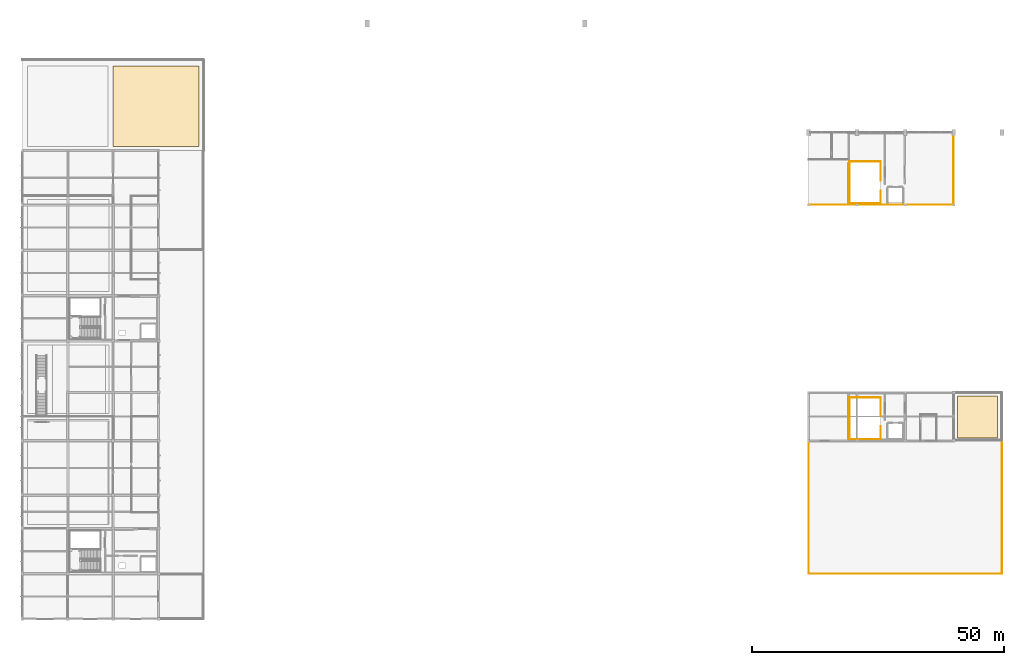
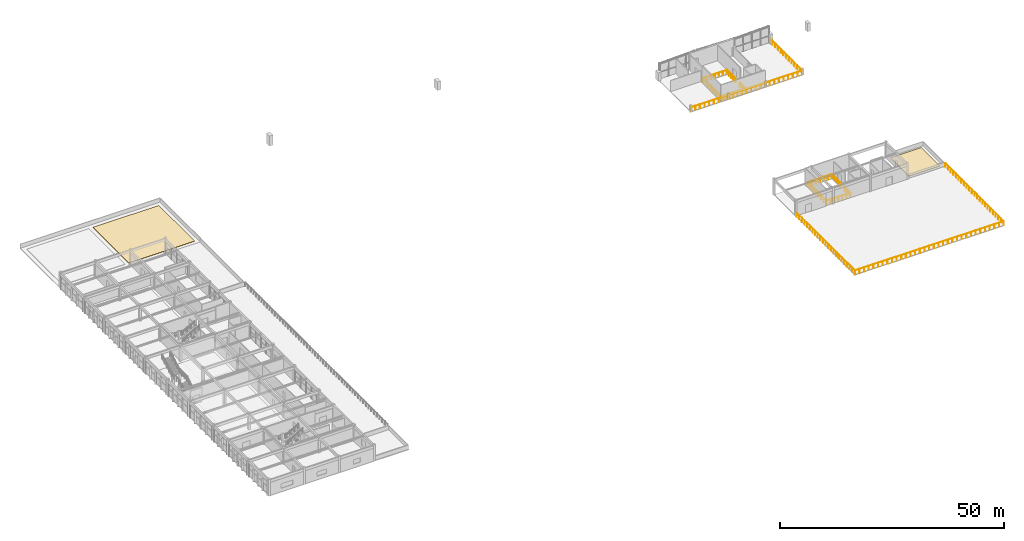
# One storey, part 22 of 22: 4 railings, 2 coverings.
"""IFC4 building model written with IfcOpenShell, lengths in metres."""

from ifc_helpers import new_model, si_unit, direction, frame, origin, origin_2d, place, context, subcontext, project, spatial, polyline, circle, outline, extrude, material, layer, layer_set, type_object, element, save


model = new_model("IFC4")

# Units and contexts
model_context = context("Model", 3, precision=1e-05, world=origin(), true_north=direction((0.0, 1.0)))
body_context = subcontext(model_context, "Body", "Model", "MODEL_VIEW")
ifc_project = project(units=[si_unit("LENGTHUNIT", "METRE"), si_unit("AREAUNIT", "SQUARE_METRE"), si_unit("VOLUMEUNIT", "CUBIC_METRE"), si_unit("PLANEANGLEUNIT", "RADIAN"), si_unit("MASSUNIT", "GRAM", prefix="KILO")], contexts=[model_context])

# Site, building, storey
site_placement = place(None, origin())
site = spatial("IfcSite", under=ifc_project, at=site_placement, CompositionType="ELEMENT")
building_placement = place(site_placement, origin())
building = spatial("IfcBuilding", under=site, at=building_placement, Name="Suirenkawa Promenade Aquatics Centre", CompositionType="ELEMENT")
storey_placement = place(building_placement, frame((0.0, 0.0, 14.10009765625)))
storey = spatial("IfcBuildingStorey", under=building, at=storey_placement, Name="L03", CompositionType="ELEMENT", Elevation=14.10009765625)

# Coverings
ifc_material_1 = material(Name="Encapsulated mineral-wool cool-roof build-up")
ifc_layer = layer(ifc_material_1, 0.080078125, Name="Encapsulated mineral-wool cool-roof build-up")
ifc_layer_set = layer_set([ifc_layer], Name="Encapsulated mineral-wool cool-roof build-up")
covering_type = type_object("IfcCoveringType", Name="CVT-ROOF-COOL", PredefinedType="ROOFING", material=ifc_layer_set)
covering_1_placement = place(storey_placement, origin())
element("IfcCovering", 1, at=covering_1_placement, inside=storey, type_object=covering_type, Name="Cool roof membrane RF-02 CVR-009", PredefinedType="ROOFING", context=body_context, shape_type="SweptSolid", body=[
    extrude(outline(polyline([(18.0, 98.0), (35.0, 98.0), (35.0, 114.0), (18.0, 114.0), (18.0, 98.0)])), origin(), (0.0, 0.0, 1.0), 0.079833984375),
])
covering_2_placement = place(storey_placement, origin())
element("IfcCovering", 2, at=covering_2_placement, inside=storey, type_object=covering_type, Name="Cool roof membrane RF-02 CVR-010", PredefinedType="ROOFING", context=body_context, shape_type="SweptSolid", body=[
    extrude(outline(polyline([(185.5, 40.199951171875), (193.5, 40.199951171875), (193.5, 48.5), (185.5, 48.5), (185.5, 40.199951171875)])), origin(), (0.0, 0.0, 1.0), 0.079833984375),
])

# Railings
ifc_material_2 = material(Name="Marine-grade stainless steel Grade 316L", Category="steel")
railing_type_1 = type_object("IfcRailingType", Name="RLT-BALUSTRADE-1120", PredefinedType="BALUSTRADE", material=ifc_material_2)
railing_1_placement = place(storey_placement, frame((156.0400390625, 39.179931640625, 0.0)))
element("IfcRailing", 3, at=railing_1_placement, inside=storey, type_object=railing_type_1, Name="Balustrade BAL-01 RL-0385", PredefinedType="BALUSTRADE", context=body_context, shape_type="SweptSolid", body=[
    extrude(circle(Radius=0.02392578125, at=origin_2d()), frame((0.0, 0.0, 1.09619140625), z_axis=(0.0, -1.0, 0.0), x_axis=(1.0, 0.0, 0.0)), (0.0, 0.0, 1.0), 25.93994140625),
    extrude(circle(Radius=0.02392578125, at=origin_2d()), frame((0.0, -25.93994140625, 1.09619140625), z_axis=(1.0, 0.0, 0.0), x_axis=(0.0, 1.0, 0.0)), (0.0, 0.0, 1.0), 38.320068359375),
    extrude(circle(Radius=0.02392578125, at=origin_2d()), frame((38.320068359375, -25.93994140625, 1.09619140625), z_axis=(0.0, 1.0, 0.0), x_axis=(-1.0, 0.0, 0.0)), (0.0, 0.0, 1.0), 25.93994140625),
    extrude(circle(Radius=0.02099609375, at=origin_2d()), origin(), (0.0, 0.0, 1.0), 1.072021484375),
    extrude(circle(Radius=0.02099609375, at=origin_2d()), frame((0.0, -1.17919921875, 0.0)), (0.0, 0.0, 1.0), 1.072021484375),
    extrude(circle(Radius=0.02099609375, at=origin_2d()), frame((0.0, -2.358154296875, 0.0)), (0.0, 0.0, 1.0), 1.072021484375),
    extrude(circle(Radius=0.02099609375, at=origin_2d()), frame((0.0, -3.537353515625, 0.0)), (0.0, 0.0, 1.0), 1.072021484375),
    extrude(circle(Radius=0.02099609375, at=origin_2d()), frame((0.0, -4.71630859375, 0.0)), (0.0, 0.0, 1.0), 1.072021484375),
    extrude(circle(Radius=0.02099609375, at=origin_2d()), frame((0.0, -5.8955078125, 0.0)), (0.0, 0.0, 1.0), 1.072021484375),
    extrude(circle(Radius=0.02099609375, at=origin_2d()), frame((0.0, -7.074462890625, 0.0)), (0.0, 0.0, 1.0), 1.072021484375),
    extrude(circle(Radius=0.02099609375, at=origin_2d()), frame((0.0, -8.253662109375, 0.0)), (0.0, 0.0, 1.0), 1.072021484375),
    extrude(circle(Radius=0.02099609375, at=origin_2d()), frame((0.0, -9.4326171875, 0.0)), (0.0, 0.0, 1.0), 1.072021484375),
    extrude(circle(Radius=0.02099609375, at=origin_2d()), frame((0.0, -10.61181640625, 0.0)), (0.0, 0.0, 1.0), 1.072021484375),
    extrude(circle(Radius=0.02099609375, at=origin_2d()), frame((0.0, -11.790771484375, 0.0)), (0.0, 0.0, 1.0), 1.072021484375),
    extrude(circle(Radius=0.02099609375, at=origin_2d()), frame((0.0, -12.969970703125, 0.0)), (0.0, 0.0, 1.0), 1.072021484375),
    extrude(circle(Radius=0.02099609375, at=origin_2d()), frame((0.0, -14.149169921875, 0.0)), (0.0, 0.0, 1.0), 1.072021484375),
    extrude(circle(Radius=0.02099609375, at=origin_2d()), frame((0.0, -15.328125, 0.0)), (0.0, 0.0, 1.0), 1.072021484375),
    extrude(circle(Radius=0.02099609375, at=origin_2d()), frame((0.0, -16.50732421875, 0.0)), (0.0, 0.0, 1.0), 1.072021484375),
    extrude(circle(Radius=0.02099609375, at=origin_2d()), frame((0.0, -17.686279296875, 0.0)), (0.0, 0.0, 1.0), 1.072021484375),
    extrude(circle(Radius=0.02099609375, at=origin_2d()), frame((0.0, -18.865478515625, 0.0)), (0.0, 0.0, 1.0), 1.072021484375),
    extrude(circle(Radius=0.02099609375, at=origin_2d()), frame((0.0, -20.04443359375, 0.0)), (0.0, 0.0, 1.0), 1.072021484375),
    extrude(circle(Radius=0.02099609375, at=origin_2d()), frame((0.0, -21.2236328125, 0.0)), (0.0, 0.0, 1.0), 1.072021484375),
    extrude(circle(Radius=0.02099609375, at=origin_2d()), frame((0.0, -22.402587890625, 0.0)), (0.0, 0.0, 1.0), 1.072021484375),
    extrude(circle(Radius=0.02099609375, at=origin_2d()), frame((0.0, -23.581787109375, 0.0)), (0.0, 0.0, 1.0), 1.072021484375),
    extrude(circle(Radius=0.02099609375, at=origin_2d()), frame((0.0, -24.7607421875, 0.0)), (0.0, 0.0, 1.0), 1.072021484375),
    extrude(circle(Radius=0.02099609375, at=origin_2d()), frame((0.0, -25.93994140625, 0.0)), (0.0, 0.0, 1.0), 1.072021484375),
    extrude(circle(Radius=0.02099609375, at=origin_2d()), frame((1.197509765625, -25.93994140625, 0.0)), (0.0, 0.0, 1.0), 1.072021484375),
    extrude(circle(Radius=0.02099609375, at=origin_2d()), frame((2.39501953125, -25.93994140625, 0.0)), (0.0, 0.0, 1.0), 1.072021484375),
    extrude(circle(Radius=0.02099609375, at=origin_2d()), frame((3.592529296875, -25.93994140625, 0.0)), (0.0, 0.0, 1.0), 1.072021484375),
    extrude(circle(Radius=0.02099609375, at=origin_2d()), frame((4.7900390625, -25.93994140625, 0.0)), (0.0, 0.0, 1.0), 1.072021484375),
    extrude(circle(Radius=0.02099609375, at=origin_2d()), frame((5.987548828125, -25.93994140625, 0.0)), (0.0, 0.0, 1.0), 1.072021484375),
    extrude(circle(Radius=0.02099609375, at=origin_2d()), frame((7.18505859375, -25.93994140625, 0.0)), (0.0, 0.0, 1.0), 1.072021484375),
    extrude(circle(Radius=0.02099609375, at=origin_2d()), frame((8.382568359375, -25.93994140625, 0.0)), (0.0, 0.0, 1.0), 1.072021484375),
    extrude(circle(Radius=0.02099609375, at=origin_2d()), frame((9.580078125, -25.93994140625, 0.0)), (0.0, 0.0, 1.0), 1.072021484375),
    extrude(circle(Radius=0.02099609375, at=origin_2d()), frame((10.777587890625, -25.93994140625, 0.0)), (0.0, 0.0, 1.0), 1.072021484375),
    extrude(circle(Radius=0.02099609375, at=origin_2d()), frame((11.97509765625, -25.93994140625, 0.0)), (0.0, 0.0, 1.0), 1.072021484375),
    extrude(circle(Radius=0.02099609375, at=origin_2d()), frame((13.172607421875, -25.93994140625, 0.0)), (0.0, 0.0, 1.0), 1.072021484375),
    extrude(circle(Radius=0.02099609375, at=origin_2d()), frame((14.3701171875, -25.93994140625, 0.0)), (0.0, 0.0, 1.0), 1.072021484375),
    extrude(circle(Radius=0.02099609375, at=origin_2d()), frame((15.567626953125, -25.93994140625, 0.0)), (0.0, 0.0, 1.0), 1.072021484375),
    extrude(circle(Radius=0.02099609375, at=origin_2d()), frame((16.76513671875, -25.93994140625, 0.0)), (0.0, 0.0, 1.0), 1.072021484375),
    extrude(circle(Radius=0.02099609375, at=origin_2d()), frame((17.962646484375, -25.93994140625, 0.0)), (0.0, 0.0, 1.0), 1.072021484375),
    extrude(circle(Radius=0.02099609375, at=origin_2d()), frame((19.16015625, -25.93994140625, 0.0)), (0.0, 0.0, 1.0), 1.072021484375),
    extrude(circle(Radius=0.02099609375, at=origin_2d()), frame((20.357421875, -25.93994140625, 0.0)), (0.0, 0.0, 1.0), 1.072021484375),
    extrude(circle(Radius=0.02099609375, at=origin_2d()), frame((21.554931640625, -25.93994140625, 0.0)), (0.0, 0.0, 1.0), 1.072021484375),
    extrude(circle(Radius=0.02099609375, at=origin_2d()), frame((22.75244140625, -25.93994140625, 0.0)), (0.0, 0.0, 1.0), 1.072021484375),
    extrude(circle(Radius=0.02099609375, at=origin_2d()), frame((23.949951171875, -25.93994140625, 0.0)), (0.0, 0.0, 1.0), 1.072021484375),
    extrude(circle(Radius=0.02099609375, at=origin_2d()), frame((25.1474609375, -25.93994140625, 0.0)), (0.0, 0.0, 1.0), 1.072021484375),
    extrude(circle(Radius=0.02099609375, at=origin_2d()), frame((26.344970703125, -25.93994140625, 0.0)), (0.0, 0.0, 1.0), 1.072021484375),
    extrude(circle(Radius=0.02099609375, at=origin_2d()), frame((27.54248046875, -25.93994140625, 0.0)), (0.0, 0.0, 1.0), 1.072021484375),
    extrude(circle(Radius=0.02099609375, at=origin_2d()), frame((28.739990234375, -25.93994140625, 0.0)), (0.0, 0.0, 1.0), 1.072021484375),
    extrude(circle(Radius=0.02099609375, at=origin_2d()), frame((29.9375, -25.93994140625, 0.0)), (0.0, 0.0, 1.0), 1.072021484375),
    extrude(circle(Radius=0.02099609375, at=origin_2d()), frame((31.135009765625, -25.93994140625, 0.0)), (0.0, 0.0, 1.0), 1.072021484375),
    extrude(circle(Radius=0.02099609375, at=origin_2d()), frame((32.33251953125, -25.93994140625, 0.0)), (0.0, 0.0, 1.0), 1.072021484375),
    extrude(circle(Radius=0.02099609375, at=origin_2d()), frame((33.530029296875, -25.93994140625, 0.0)), (0.0, 0.0, 1.0), 1.072021484375),
    extrude(circle(Radius=0.02099609375, at=origin_2d()), frame((34.7275390625, -25.93994140625, 0.0)), (0.0, 0.0, 1.0), 1.072021484375),
    extrude(circle(Radius=0.02099609375, at=origin_2d()), frame((35.925048828125, -25.93994140625, 0.0)), (0.0, 0.0, 1.0), 1.072021484375),
    extrude(circle(Radius=0.02099609375, at=origin_2d()), frame((37.12255859375, -25.93994140625, 0.0)), (0.0, 0.0, 1.0), 1.072021484375),
    extrude(circle(Radius=0.02099609375, at=origin_2d()), frame((38.320068359375, -25.93994140625, 0.0)), (0.0, 0.0, 1.0), 1.072021484375),
    extrude(circle(Radius=0.02099609375, at=origin_2d()), frame((38.320068359375, -24.7607421875, 0.0)), (0.0, 0.0, 1.0), 1.072021484375),
    extrude(circle(Radius=0.02099609375, at=origin_2d()), frame((38.320068359375, -23.581787109375, 0.0)), (0.0, 0.0, 1.0), 1.072021484375),
    extrude(circle(Radius=0.02099609375, at=origin_2d()), frame((38.320068359375, -22.402587890625, 0.0)), (0.0, 0.0, 1.0), 1.072021484375),
    extrude(circle(Radius=0.02099609375, at=origin_2d()), frame((38.320068359375, -21.2236328125, 0.0)), (0.0, 0.0, 1.0), 1.072021484375),
    extrude(circle(Radius=0.02099609375, at=origin_2d()), frame((38.320068359375, -20.04443359375, 0.0)), (0.0, 0.0, 1.0), 1.072021484375),
    extrude(circle(Radius=0.02099609375, at=origin_2d()), frame((38.320068359375, -18.865478515625, 0.0)), (0.0, 0.0, 1.0), 1.072021484375),
    extrude(circle(Radius=0.02099609375, at=origin_2d()), frame((38.320068359375, -17.686279296875, 0.0)), (0.0, 0.0, 1.0), 1.072021484375),
    extrude(circle(Radius=0.02099609375, at=origin_2d()), frame((38.320068359375, -16.50732421875, 0.0)), (0.0, 0.0, 1.0), 1.072021484375),
    extrude(circle(Radius=0.02099609375, at=origin_2d()), frame((38.320068359375, -15.328125, 0.0)), (0.0, 0.0, 1.0), 1.072021484375),
    extrude(circle(Radius=0.02099609375, at=origin_2d()), frame((38.320068359375, -14.149169921875, 0.0)), (0.0, 0.0, 1.0), 1.072021484375),
    extrude(circle(Radius=0.02099609375, at=origin_2d()), frame((38.320068359375, -12.969970703125, 0.0)), (0.0, 0.0, 1.0), 1.072021484375),
    extrude(circle(Radius=0.02099609375, at=origin_2d()), frame((38.320068359375, -11.790771484375, 0.0)), (0.0, 0.0, 1.0), 1.072021484375),
    extrude(circle(Radius=0.02099609375, at=origin_2d()), frame((38.320068359375, -10.61181640625, 0.0)), (0.0, 0.0, 1.0), 1.072021484375),
    extrude(circle(Radius=0.02099609375, at=origin_2d()), frame((38.320068359375, -9.4326171875, 0.0)), (0.0, 0.0, 1.0), 1.072021484375),
    extrude(circle(Radius=0.02099609375, at=origin_2d()), frame((38.320068359375, -8.253662109375, 0.0)), (0.0, 0.0, 1.0), 1.072021484375),
    extrude(circle(Radius=0.02099609375, at=origin_2d()), frame((38.320068359375, -7.074462890625, 0.0)), (0.0, 0.0, 1.0), 1.072021484375),
    extrude(circle(Radius=0.02099609375, at=origin_2d()), frame((38.320068359375, -5.8955078125, 0.0)), (0.0, 0.0, 1.0), 1.072021484375),
    extrude(circle(Radius=0.02099609375, at=origin_2d()), frame((38.320068359375, -4.71630859375, 0.0)), (0.0, 0.0, 1.0), 1.072021484375),
    extrude(circle(Radius=0.02099609375, at=origin_2d()), frame((38.320068359375, -3.537353515625, 0.0)), (0.0, 0.0, 1.0), 1.072021484375),
    extrude(circle(Radius=0.02099609375, at=origin_2d()), frame((38.320068359375, -2.358154296875, 0.0)), (0.0, 0.0, 1.0), 1.072021484375),
    extrude(circle(Radius=0.02099609375, at=origin_2d()), frame((38.320068359375, -1.17919921875, 0.0)), (0.0, 0.0, 1.0), 1.072021484375),
    extrude(circle(Radius=0.02099609375, at=origin_2d()), frame((38.320068359375, 0.0, 0.0)), (0.0, 0.0, 1.0), 1.072021484375),
])
railing_2_placement = place(storey_placement, frame((156.0400390625, 86.43994140625, 0.0)))
element("IfcRailing", 4, at=railing_2_placement, inside=storey, type_object=railing_type_1, Name="Balustrade BAL-01 RL-0431", PredefinedType="BALUSTRADE", context=body_context, shape_type="SweptSolid", body=[
    extrude(circle(Radius=0.02392578125, at=origin_2d()), frame((0.0, 0.0, 1.09619140625), z_axis=(1.0, 0.0, 0.0), x_axis=(0.0, 1.0, 0.0)), (0.0, 0.0, 1.0), 28.719970703125),
    extrude(circle(Radius=0.02392578125, at=origin_2d()), frame((28.719970703125, 0.0, 1.09619140625), z_axis=(0.0, 1.0, 0.0), x_axis=(-1.0, 0.0, 0.0)), (0.0, 0.0, 1.0), 14.320068359375),
    extrude(circle(Radius=0.02099609375, at=origin_2d()), origin(), (0.0, 0.0, 1.0), 1.072021484375),
    extrude(circle(Radius=0.02099609375, at=origin_2d()), frame((1.19677734375, 0.0, 0.0)), (0.0, 0.0, 1.0), 1.072021484375),
    extrude(circle(Radius=0.02099609375, at=origin_2d()), frame((2.393310546875, 0.0, 0.0)), (0.0, 0.0, 1.0), 1.072021484375),
    extrude(circle(Radius=0.02099609375, at=origin_2d()), frame((3.590087890625, 0.0, 0.0)), (0.0, 0.0, 1.0), 1.072021484375),
    extrude(circle(Radius=0.02099609375, at=origin_2d()), frame((4.78662109375, 0.0, 0.0)), (0.0, 0.0, 1.0), 1.072021484375),
    extrude(circle(Radius=0.02099609375, at=origin_2d()), frame((5.9833984375, 0.0, 0.0)), (0.0, 0.0, 1.0), 1.072021484375),
    extrude(circle(Radius=0.02099609375, at=origin_2d()), frame((7.179931640625, 0.0, 0.0)), (0.0, 0.0, 1.0), 1.072021484375),
    extrude(circle(Radius=0.02099609375, at=origin_2d()), frame((8.376708984375, 0.0, 0.0)), (0.0, 0.0, 1.0), 1.072021484375),
    extrude(circle(Radius=0.02099609375, at=origin_2d()), frame((9.5732421875, 0.0, 0.0)), (0.0, 0.0, 1.0), 1.072021484375),
    extrude(circle(Radius=0.02099609375, at=origin_2d()), frame((10.77001953125, 0.0, 0.0)), (0.0, 0.0, 1.0), 1.072021484375),
    extrude(circle(Radius=0.02099609375, at=origin_2d()), frame((11.966552734375, 0.0, 0.0)), (0.0, 0.0, 1.0), 1.072021484375),
    extrude(circle(Radius=0.02099609375, at=origin_2d()), frame((13.163330078125, 0.0, 0.0)), (0.0, 0.0, 1.0), 1.072021484375),
    extrude(circle(Radius=0.02099609375, at=origin_2d()), frame((14.35986328125, 0.0, 0.0)), (0.0, 0.0, 1.0), 1.072021484375),
    extrude(circle(Radius=0.02099609375, at=origin_2d()), frame((15.556640625, 0.0, 0.0)), (0.0, 0.0, 1.0), 1.072021484375),
    extrude(circle(Radius=0.02099609375, at=origin_2d()), frame((16.75341796875, 0.0, 0.0)), (0.0, 0.0, 1.0), 1.072021484375),
    extrude(circle(Radius=0.02099609375, at=origin_2d()), frame((17.949951171875, 0.0, 0.0)), (0.0, 0.0, 1.0), 1.072021484375),
    extrude(circle(Radius=0.02099609375, at=origin_2d()), frame((19.146728515625, 0.0, 0.0)), (0.0, 0.0, 1.0), 1.072021484375),
    extrude(circle(Radius=0.02099609375, at=origin_2d()), frame((20.34326171875, 0.0, 0.0)), (0.0, 0.0, 1.0), 1.072021484375),
    extrude(circle(Radius=0.02099609375, at=origin_2d()), frame((21.5400390625, 0.0, 0.0)), (0.0, 0.0, 1.0), 1.072021484375),
    extrude(circle(Radius=0.02099609375, at=origin_2d()), frame((22.736572265625, 0.0, 0.0)), (0.0, 0.0, 1.0), 1.072021484375),
    extrude(circle(Radius=0.02099609375, at=origin_2d()), frame((23.933349609375, 0.0, 0.0)), (0.0, 0.0, 1.0), 1.072021484375),
    extrude(circle(Radius=0.02099609375, at=origin_2d()), frame((25.1298828125, 0.0, 0.0)), (0.0, 0.0, 1.0), 1.072021484375),
    extrude(circle(Radius=0.02099609375, at=origin_2d()), frame((26.32666015625, 0.0, 0.0)), (0.0, 0.0, 1.0), 1.072021484375),
    extrude(circle(Radius=0.02099609375, at=origin_2d()), frame((27.523193359375, 0.0, 0.0)), (0.0, 0.0, 1.0), 1.072021484375),
    extrude(circle(Radius=0.02099609375, at=origin_2d()), frame((28.719970703125, 0.0, 0.0)), (0.0, 0.0, 1.0), 1.072021484375),
    extrude(circle(Radius=0.02099609375, at=origin_2d()), frame((28.719970703125, 1.193359375, 0.0)), (0.0, 0.0, 1.0), 1.072021484375),
    extrude(circle(Radius=0.02099609375, at=origin_2d()), frame((28.719970703125, 2.38671875, 0.0)), (0.0, 0.0, 1.0), 1.072021484375),
    extrude(circle(Radius=0.02099609375, at=origin_2d()), frame((28.719970703125, 3.580078125, 0.0)), (0.0, 0.0, 1.0), 1.072021484375),
    extrude(circle(Radius=0.02099609375, at=origin_2d()), frame((28.719970703125, 4.7734375, 0.0)), (0.0, 0.0, 1.0), 1.072021484375),
    extrude(circle(Radius=0.02099609375, at=origin_2d()), frame((28.719970703125, 5.966796875, 0.0)), (0.0, 0.0, 1.0), 1.072021484375),
    extrude(circle(Radius=0.02099609375, at=origin_2d()), frame((28.719970703125, 7.16015625, 0.0)), (0.0, 0.0, 1.0), 1.072021484375),
    extrude(circle(Radius=0.02099609375, at=origin_2d()), frame((28.719970703125, 8.353271484375, 0.0)), (0.0, 0.0, 1.0), 1.072021484375),
    extrude(circle(Radius=0.02099609375, at=origin_2d()), frame((28.719970703125, 9.546630859375, 0.0)), (0.0, 0.0, 1.0), 1.072021484375),
    extrude(circle(Radius=0.02099609375, at=origin_2d()), frame((28.719970703125, 10.739990234375, 0.0)), (0.0, 0.0, 1.0), 1.072021484375),
    extrude(circle(Radius=0.02099609375, at=origin_2d()), frame((28.719970703125, 11.933349609375, 0.0)), (0.0, 0.0, 1.0), 1.072021484375),
    extrude(circle(Radius=0.02099609375, at=origin_2d()), frame((28.719970703125, 13.126708984375, 0.0)), (0.0, 0.0, 1.0), 1.072021484375),
    extrude(circle(Radius=0.02099609375, at=origin_2d()), frame((28.719970703125, 14.320068359375, 0.0)), (0.0, 0.0, 1.0), 1.072021484375),
])
railing_type_2 = type_object("IfcRailingType", Name="RLT-GUARD-1120", PredefinedType="GUARDRAIL", material=ifc_material_2)
railing_3_placement = place(storey_placement, frame((170.330078125, 91.260009765625, 0.0)))
element("IfcRailing", 5, at=railing_3_placement, inside=storey, type_object=railing_type_2, Name="Guardrail GRD-01 RL-0419", PredefinedType="GUARDRAIL", context=body_context, shape_type="SweptSolid", body=[
    extrude(circle(Radius=0.02392578125, at=origin_2d()), frame((0.0, 0.0, 1.09619140625), z_axis=(0.0, 1.0, 0.0), x_axis=(-1.0, 0.0, 0.0)), (0.0, 0.0, 1.0), 3.739990234375),
    extrude(circle(Radius=0.02392578125, at=origin_2d()), frame((0.0, 3.739990234375, 1.09619140625), z_axis=(-1.0, 0.0, 0.0), x_axis=(0.0, -1.0, 0.0)), (0.0, 0.0, 1.0), 6.2099609375),
    extrude(circle(Radius=0.02392578125, at=origin_2d()), frame((-6.2099609375, 3.739990234375, 1.09619140625), z_axis=(0.0, -1.0, 0.0), x_axis=(1.0, 0.0, 0.0)), (0.0, 0.0, 1.0), 8.280029296875),
    extrude(circle(Radius=0.02392578125, at=origin_2d()), frame((-6.2099609375, -4.5400390625, 1.09619140625), z_axis=(1.0, 0.0, 0.0), x_axis=(0.0, 1.0, 0.0)), (0.0, 0.0, 1.0), 6.2099609375),
    extrude(circle(Radius=0.02392578125, at=origin_2d()), frame((0.0, -4.5400390625, 1.09619140625), z_axis=(0.0, 1.0, 0.0), x_axis=(-1.0, 0.0, 0.0)), (0.0, 0.0, 1.0), 2.52001953125),
    extrude(circle(Radius=0.02099609375, at=origin_2d()), origin(), (0.0, 0.0, 1.0), 1.072021484375),
    extrude(circle(Radius=0.02099609375, at=origin_2d()), frame((0.0, 0.93505859375, 0.0)), (0.0, 0.0, 1.0), 1.072021484375),
    extrude(circle(Radius=0.02099609375, at=origin_2d()), frame((0.0, 1.8701171875, 0.0)), (0.0, 0.0, 1.0), 1.072021484375),
    extrude(circle(Radius=0.02099609375, at=origin_2d()), frame((0.0, 2.804931640625, 0.0)), (0.0, 0.0, 1.0), 1.072021484375),
    extrude(circle(Radius=0.02099609375, at=origin_2d()), frame((0.0, 3.739990234375, 0.0)), (0.0, 0.0, 1.0), 1.072021484375),
    extrude(circle(Radius=0.02099609375, at=origin_2d()), frame((-1.034912109375, 3.739990234375, 0.0)), (0.0, 0.0, 1.0), 1.072021484375),
    extrude(circle(Radius=0.02099609375, at=origin_2d()), frame((-2.070068359375, 3.739990234375, 0.0)), (0.0, 0.0, 1.0), 1.072021484375),
    extrude(circle(Radius=0.02099609375, at=origin_2d()), frame((-3.10498046875, 3.739990234375, 0.0)), (0.0, 0.0, 1.0), 1.072021484375),
    extrude(circle(Radius=0.02099609375, at=origin_2d()), frame((-4.139892578125, 3.739990234375, 0.0)), (0.0, 0.0, 1.0), 1.072021484375),
    extrude(circle(Radius=0.02099609375, at=origin_2d()), frame((-5.175048828125, 3.739990234375, 0.0)), (0.0, 0.0, 1.0), 1.072021484375),
    extrude(circle(Radius=0.02099609375, at=origin_2d()), frame((-6.2099609375, 3.739990234375, 0.0)), (0.0, 0.0, 1.0), 1.072021484375),
    extrude(circle(Radius=0.02099609375, at=origin_2d()), frame((-6.2099609375, 2.55712890625, 0.0)), (0.0, 0.0, 1.0), 1.072021484375),
    extrude(circle(Radius=0.02099609375, at=origin_2d()), frame((-6.2099609375, 1.374267578125, 0.0)), (0.0, 0.0, 1.0), 1.072021484375),
    extrude(circle(Radius=0.02099609375, at=origin_2d()), frame((-6.2099609375, 0.19140625, 0.0)), (0.0, 0.0, 1.0), 1.072021484375),
    extrude(circle(Radius=0.02099609375, at=origin_2d()), frame((-6.2099609375, -0.991455078125, 0.0)), (0.0, 0.0, 1.0), 1.072021484375),
    extrude(circle(Radius=0.02099609375, at=origin_2d()), frame((-6.2099609375, -2.17431640625, 0.0)), (0.0, 0.0, 1.0), 1.072021484375),
    extrude(circle(Radius=0.02099609375, at=origin_2d()), frame((-6.2099609375, -3.357177734375, 0.0)), (0.0, 0.0, 1.0), 1.072021484375),
    extrude(circle(Radius=0.02099609375, at=origin_2d()), frame((-6.2099609375, -4.5400390625, 0.0)), (0.0, 0.0, 1.0), 1.072021484375),
    extrude(circle(Radius=0.02099609375, at=origin_2d()), frame((-5.175048828125, -4.5400390625, 0.0)), (0.0, 0.0, 1.0), 1.072021484375),
    extrude(circle(Radius=0.02099609375, at=origin_2d()), frame((-4.139892578125, -4.5400390625, 0.0)), (0.0, 0.0, 1.0), 1.072021484375),
    extrude(circle(Radius=0.02099609375, at=origin_2d()), frame((-3.10498046875, -4.5400390625, 0.0)), (0.0, 0.0, 1.0), 1.072021484375),
    extrude(circle(Radius=0.02099609375, at=origin_2d()), frame((-2.070068359375, -4.5400390625, 0.0)), (0.0, 0.0, 1.0), 1.072021484375),
    extrude(circle(Radius=0.02099609375, at=origin_2d()), frame((-1.034912109375, -4.5400390625, 0.0)), (0.0, 0.0, 1.0), 1.072021484375),
    extrude(circle(Radius=0.02099609375, at=origin_2d()), frame((0.0, -4.5400390625, 0.0)), (0.0, 0.0, 1.0), 1.072021484375),
    extrude(circle(Radius=0.02099609375, at=origin_2d()), frame((0.0, -3.699951171875, 0.0)), (0.0, 0.0, 1.0), 1.072021484375),
    extrude(circle(Radius=0.02099609375, at=origin_2d()), frame((0.0, -2.860107421875, 0.0)), (0.0, 0.0, 1.0), 1.072021484375),
    extrude(circle(Radius=0.02099609375, at=origin_2d()), frame((0.0, -2.02001953125, 0.0)), (0.0, 0.0, 1.0), 1.072021484375),
])
railing_4_placement = place(storey_placement, frame((170.330078125, 44.4599609375, 0.0)))
element("IfcRailing", 6, at=railing_4_placement, inside=storey, type_object=railing_type_2, Name="Guardrail GRD-01 RL-0422", PredefinedType="GUARDRAIL", context=body_context, shape_type="SweptSolid", body=[
    extrude(circle(Radius=0.02392578125, at=origin_2d()), frame((0.0, 0.0, 1.09619140625), z_axis=(0.0, 1.0, 0.0), x_axis=(-1.0, 0.0, 0.0)), (0.0, 0.0, 1.0), 3.739990234375),
    extrude(circle(Radius=0.02392578125, at=origin_2d()), frame((0.0, 3.739990234375, 1.09619140625), z_axis=(-1.0, 0.0, 0.0), x_axis=(0.0, -1.0, 0.0)), (0.0, 0.0, 1.0), 6.2099609375),
    extrude(circle(Radius=0.02392578125, at=origin_2d()), frame((-6.2099609375, 3.739990234375, 1.09619140625), z_axis=(0.0, -1.0, 0.0), x_axis=(1.0, 0.0, 0.0)), (0.0, 0.0, 1.0), 8.280029296875),
    extrude(circle(Radius=0.02392578125, at=origin_2d()), frame((-6.2099609375, -4.5400390625, 1.09619140625), z_axis=(1.0, 0.0, 0.0), x_axis=(0.0, 1.0, 0.0)), (0.0, 0.0, 1.0), 6.2099609375),
    extrude(circle(Radius=0.02392578125, at=origin_2d()), frame((0.0, -4.5400390625, 1.09619140625), z_axis=(0.0, 1.0, 0.0), x_axis=(-1.0, 0.0, 0.0)), (0.0, 0.0, 1.0), 2.52001953125),
    extrude(circle(Radius=0.02099609375, at=origin_2d()), origin(), (0.0, 0.0, 1.0), 1.072021484375),
    extrude(circle(Radius=0.02099609375, at=origin_2d()), frame((0.0, 0.93505859375, 0.0)), (0.0, 0.0, 1.0), 1.072021484375),
    extrude(circle(Radius=0.02099609375, at=origin_2d()), frame((0.0, 1.8701171875, 0.0)), (0.0, 0.0, 1.0), 1.072021484375),
    extrude(circle(Radius=0.02099609375, at=origin_2d()), frame((0.0, 2.804931640625, 0.0)), (0.0, 0.0, 1.0), 1.072021484375),
    extrude(circle(Radius=0.02099609375, at=origin_2d()), frame((0.0, 3.739990234375, 0.0)), (0.0, 0.0, 1.0), 1.072021484375),
    extrude(circle(Radius=0.02099609375, at=origin_2d()), frame((-1.034912109375, 3.739990234375, 0.0)), (0.0, 0.0, 1.0), 1.072021484375),
    extrude(circle(Radius=0.02099609375, at=origin_2d()), frame((-2.070068359375, 3.739990234375, 0.0)), (0.0, 0.0, 1.0), 1.072021484375),
    extrude(circle(Radius=0.02099609375, at=origin_2d()), frame((-3.10498046875, 3.739990234375, 0.0)), (0.0, 0.0, 1.0), 1.072021484375),
    extrude(circle(Radius=0.02099609375, at=origin_2d()), frame((-4.139892578125, 3.739990234375, 0.0)), (0.0, 0.0, 1.0), 1.072021484375),
    extrude(circle(Radius=0.02099609375, at=origin_2d()), frame((-5.175048828125, 3.739990234375, 0.0)), (0.0, 0.0, 1.0), 1.072021484375),
    extrude(circle(Radius=0.02099609375, at=origin_2d()), frame((-6.2099609375, 3.739990234375, 0.0)), (0.0, 0.0, 1.0), 1.072021484375),
    extrude(circle(Radius=0.02099609375, at=origin_2d()), frame((-6.2099609375, 2.55712890625, 0.0)), (0.0, 0.0, 1.0), 1.072021484375),
    extrude(circle(Radius=0.02099609375, at=origin_2d()), frame((-6.2099609375, 1.374267578125, 0.0)), (0.0, 0.0, 1.0), 1.072021484375),
    extrude(circle(Radius=0.02099609375, at=origin_2d()), frame((-6.2099609375, 0.19140625, 0.0)), (0.0, 0.0, 1.0), 1.072021484375),
    extrude(circle(Radius=0.02099609375, at=origin_2d()), frame((-6.2099609375, -0.991455078125, 0.0)), (0.0, 0.0, 1.0), 1.072021484375),
    extrude(circle(Radius=0.02099609375, at=origin_2d()), frame((-6.2099609375, -2.17431640625, 0.0)), (0.0, 0.0, 1.0), 1.072021484375),
    extrude(circle(Radius=0.02099609375, at=origin_2d()), frame((-6.2099609375, -3.357177734375, 0.0)), (0.0, 0.0, 1.0), 1.072021484375),
    extrude(circle(Radius=0.02099609375, at=origin_2d()), frame((-6.2099609375, -4.5400390625, 0.0)), (0.0, 0.0, 1.0), 1.072021484375),
    extrude(circle(Radius=0.02099609375, at=origin_2d()), frame((-5.175048828125, -4.5400390625, 0.0)), (0.0, 0.0, 1.0), 1.072021484375),
    extrude(circle(Radius=0.02099609375, at=origin_2d()), frame((-4.139892578125, -4.5400390625, 0.0)), (0.0, 0.0, 1.0), 1.072021484375),
    extrude(circle(Radius=0.02099609375, at=origin_2d()), frame((-3.10498046875, -4.5400390625, 0.0)), (0.0, 0.0, 1.0), 1.072021484375),
    extrude(circle(Radius=0.02099609375, at=origin_2d()), frame((-2.070068359375, -4.5400390625, 0.0)), (0.0, 0.0, 1.0), 1.072021484375),
    extrude(circle(Radius=0.02099609375, at=origin_2d()), frame((-1.034912109375, -4.5400390625, 0.0)), (0.0, 0.0, 1.0), 1.072021484375),
    extrude(circle(Radius=0.02099609375, at=origin_2d()), frame((0.0, -4.5400390625, 0.0)), (0.0, 0.0, 1.0), 1.072021484375),
    extrude(circle(Radius=0.02099609375, at=origin_2d()), frame((0.0, -3.699951171875, 0.0)), (0.0, 0.0, 1.0), 1.072021484375),
    extrude(circle(Radius=0.02099609375, at=origin_2d()), frame((0.0, -2.860107421875, 0.0)), (0.0, 0.0, 1.0), 1.072021484375),
    extrude(circle(Radius=0.02099609375, at=origin_2d()), frame((0.0, -2.02001953125, 0.0)), (0.0, 0.0, 1.0), 1.072021484375),
])

save(model, "model.ifc")
